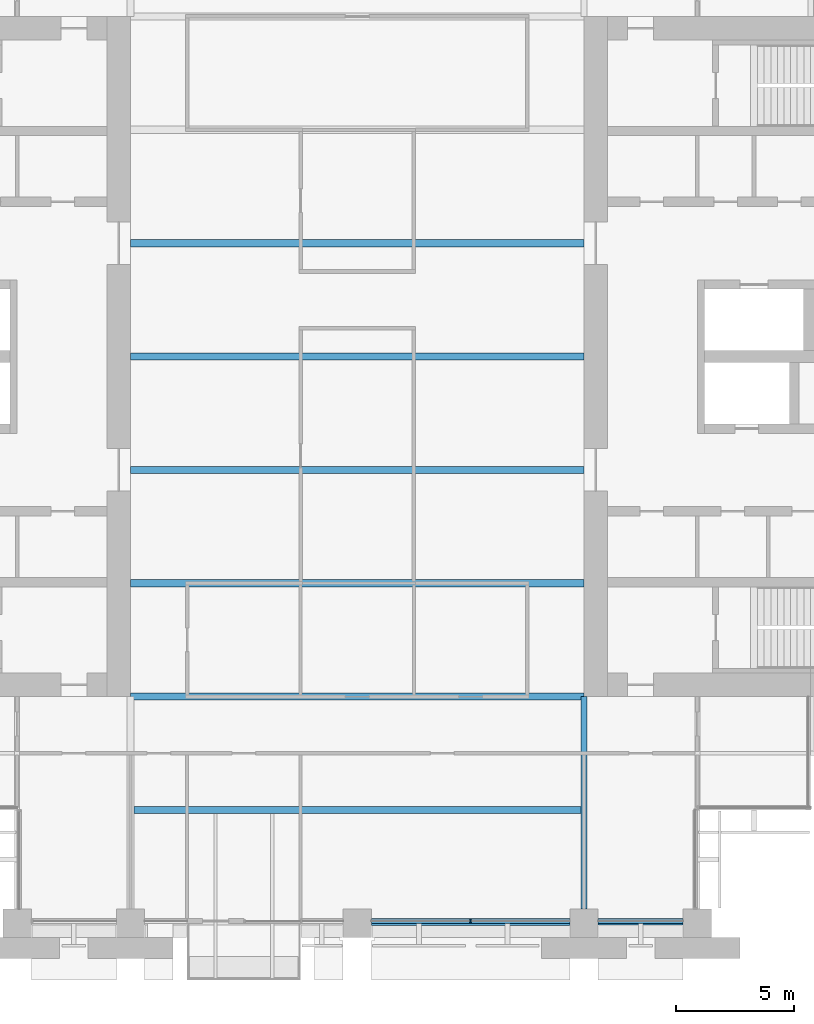
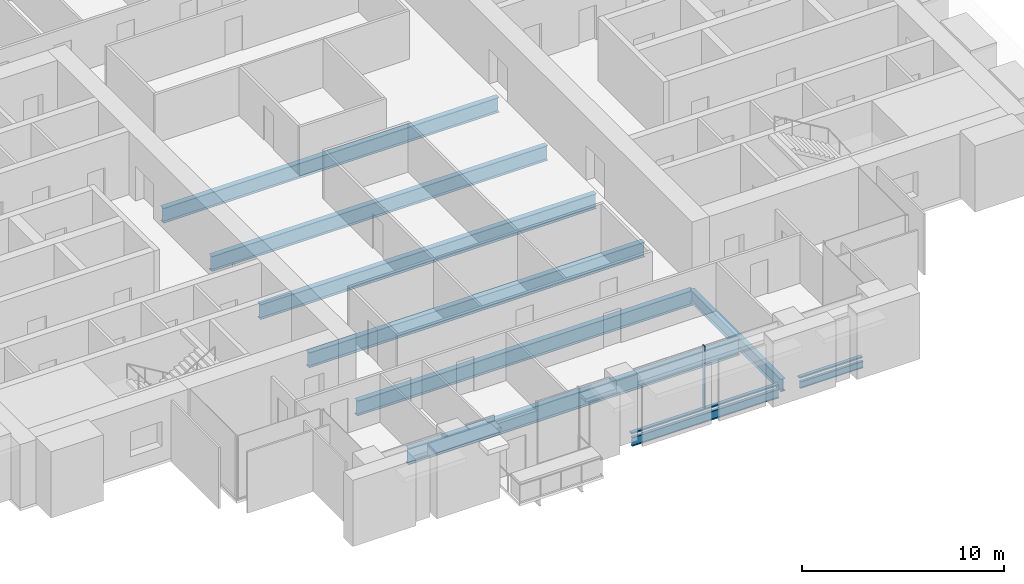
# One storey, part 3 of 15: 9 beams, 3 members, 1 element without a shape of its own.
"""IFC4 building model written with IfcOpenShell, lengths in metres."""

from ifc_helpers import new_model, si_unit, direction, frame, origin, origin_2d, place, context, subcontext, project, spatial, rectangle, i_section, extrude, material, material_profile, profile_set, type_object, element, aggregate, save


model = new_model("IFC4")

# Units and contexts
model_context = context("Model", 3, precision=1e-05, world=origin(), true_north=direction((0.0, 1.0)))
body_context = subcontext(model_context, "Body", "Model", "MODEL_VIEW")
ifc_project = project(units=[si_unit("LENGTHUNIT", "METRE"), si_unit("AREAUNIT", "SQUARE_METRE"), si_unit("VOLUMEUNIT", "CUBIC_METRE"), si_unit("PLANEANGLEUNIT", "RADIAN"), si_unit("MASSUNIT", "GRAM", prefix="KILO")], contexts=[model_context])

# Site, building, storey
site_placement = place(None, origin())
site = spatial("IfcSite", under=ifc_project, at=site_placement, CompositionType="ELEMENT")
building_placement = place(site_placement, origin())
building = spatial("IfcBuilding", under=site, at=building_placement, Name="Baori Bourse Tower", CompositionType="ELEMENT")
storey_placement = place(building_placement, frame((0.0, 0.0, 128.10009765625)))
storey = spatial("IfcBuildingStorey", under=building, at=storey_placement, Name="L27", CompositionType="ELEMENT", Elevation=128.10009765625)

# Curtain wall, members
ifc_material_1 = material(Name="Pale anodised aluminium", Category="aluminium")
curtain_wall_type = type_object("IfcCurtainWallType", Name="CW1 Curtain wall", PredefinedType="NOTDEFINED", material=ifc_material_1)
curtain_wall_placement = place(storey_placement, origin())
curtain_wall = element("IfcCurtainWall", 1, at=curtain_wall_placement, inside=storey, type_object=curtain_wall_type, Name="Curtain wall CW1 L27 15", PredefinedType="NOTDEFINED")
ifc_material_2 = material(Name="Pale anodised aluminium", Category="aluminium")
ifc_material_profile_1 = material_profile(ifc_material_2, rectangle(XDim=0.199951171875, YDim=0.06005859375, at=origin_2d()), Name="Mullion 60x200")
ifc_profile_set_1 = profile_set([ifc_material_profile_1], Name="Pale anodised aluminium")
member_type_1 = type_object("IfcMemberType", Name="CW1 Curtain wall mullion", PredefinedType="MULLION", material=ifc_profile_set_1)
member_1_placement = place(storey_placement, frame((33.60009765625, 0.10009765625, 0.079833984375), z_axis=(0.0, 0.0, 1.0), x_axis=(0.0, 1.0, 0.0)))
member_1 = element("IfcMember", 2, at=member_1_placement, type_object=member_type_1, Name="Curtain wall CW1 mullion", PredefinedType="MULLION", context=body_context, shape_type="SweptSolid", body=[
    extrude(rectangle(XDim=0.199951171875, YDim=0.06005859375, at=origin_2d()), origin(), (0.0, 0.0, 1.0), 3.760009765625),
])
ifc_material_3 = material(Name="Pale anodised aluminium", Category="aluminium")
ifc_material_profile_2 = material_profile(ifc_material_3, rectangle(XDim=0.199951171875, YDim=0.080078125, at=origin_2d()), Name="Transom 80x200")
ifc_profile_set_2 = profile_set([ifc_material_profile_2], Name="Pale anodised aluminium")
member_type_2 = type_object("IfcMemberType", Name="CW1 Curtain wall transom", PredefinedType="USERDEFINED", material=ifc_profile_set_2)
member_2_placement = place(storey_placement, frame((29.39990234375, 0.10009765625, 0.039794921875), z_axis=(1.0, 0.0, 0.0), x_axis=(0.0, 1.0, 0.0)))
member_2 = element("IfcMember", 3, at=member_2_placement, type_object=member_type_2, Name="Curtain wall CW1 sill rail", ObjectType="TRANSOM", PredefinedType="USERDEFINED", context=body_context, shape_type="SweptSolid", body=[
    extrude(rectangle(XDim=0.199951171875, YDim=0.080078125, at=origin_2d()), origin(), (0.0, 0.0, 1.0), 8.400146484375),
])
member_3_placement = place(storey_placement, frame((39.0, 0.10009765625, 0.039794921875), z_axis=(1.0, 0.0, 0.0), x_axis=(0.0, 1.0, 0.0)))
member_3 = element("IfcMember", 4, at=member_3_placement, type_object=member_type_2, Name="Curtain wall CW1 sill rail", ObjectType="TRANSOM", PredefinedType="USERDEFINED", context=body_context, shape_type="SweptSolid", body=[
    extrude(rectangle(XDim=0.199951171875, YDim=0.080078125, at=origin_2d()), origin(), (0.0, 0.0, 1.0), 3.60009765625),
])
aggregate(curtain_wall, [member_2, member_1, member_3])

# Beams
ifc_material_4 = material(Name="Steel A992 Gr 50", Category="steel")
ifc_material_profile_3 = material_profile(ifc_material_4, i_section(OverallWidth=0.140380859375, OverallDepth=0.40380859375, WebThickness=0.007080078125, FlangeThickness=0.01123046875, at=origin_2d()), Name="W16x31")
ifc_profile_set_3 = profile_set([ifc_material_profile_3], Name="Steel A992 Gr 50")
beam_type_1 = type_object("IfcBeamType", Name="Edge beam W16x31", PredefinedType="BEAM", material=ifc_profile_set_3)
beam_1_placement = place(storey_placement, frame((39.0, 0.0, -0.362060546875), z_axis=(1.0, 0.0, 0.0), x_axis=(0.0, 1.0, 0.0)))
element("IfcBeam", 5, at=beam_1_placement, inside=storey, type_object=beam_type_1, Name="Edge beam L27", PredefinedType="BEAM", context=body_context, shape_type="SweptSolid", body=[
    extrude(i_section(OverallWidth=0.140380859375, OverallDepth=0.40380859375, WebThickness=0.007080078125, FlangeThickness=0.01123046875, at=origin_2d()), origin(), (0.0, 0.0, 1.0), 3.60009765625),
])
ifc_material_5 = material(Name="Steel A992 Gr 50", Category="steel")
ifc_material_profile_4 = material_profile(ifc_material_5, i_section(OverallWidth=0.1650390625, OverallDepth=0.52587890625, WebThickness=0.0087890625, FlangeThickness=0.011474609375, at=origin_2d()), Name="W21x44")
ifc_profile_set_4 = profile_set([ifc_material_profile_4], Name="Steel A992 Gr 50")
beam_type_2 = type_object("IfcBeamType", Name="Edge beam W21x44", PredefinedType="BEAM", material=ifc_profile_set_4)
beam_2_placement = place(storey_placement, frame((29.39990234375, 0.0, -0.423095703125), z_axis=(1.0, 0.0, 0.0), x_axis=(0.0, 1.0, 0.0)))
element("IfcBeam", 6, at=beam_2_placement, inside=storey, type_object=beam_type_2, Name="Edge beam L27", PredefinedType="BEAM", context=body_context, shape_type="SweptSolid", body=[
    extrude(i_section(OverallWidth=0.1650390625, OverallDepth=0.52587890625, WebThickness=0.0087890625, FlangeThickness=0.011474609375, at=origin_2d()), origin(), (0.0, 0.0, 1.0), 8.400146484375),
])
ifc_material_6 = material(Name="Steel A992 Gr 50", Category="steel")
ifc_material_profile_5 = material_profile(ifc_material_6, i_section(OverallWidth=0.3046875, OverallDepth=0.904296875, WebThickness=0.01513671875, FlangeThickness=0.02001953125, at=origin_2d()), Name="W36x135")
ifc_profile_set_5 = profile_set([ifc_material_profile_5], Name="Steel A992 Gr 50")
beam_type_3 = type_object("IfcBeamType", Name="Floor beam W36x135", PredefinedType="BEAM", material=ifc_profile_set_5)
for number, where, z_axis, x_axis, name in (
    (7, (19.199951171875, 9.60009765625, -0.6123046875), (1.0, 0.0, 0.0), (0.0, 1.0, 0.0), "Floor beam L27"),
    (8, (19.199951171875, 14.39990234375, -0.6123046875), (1.0, 0.0, 0.0), (0.0, 1.0, 0.0), "Floor beam L27"),
    (9, (19.199951171875, 19.199951171875, -0.6123046875), (1.0, 0.0, 0.0), (0.0, 1.0, 0.0), "Floor beam L27"),
    (10, (19.199951171875, 24.0, -0.6123046875), (1.0, 0.0, 0.0), (0.0, 1.0, 0.0), "Floor beam L27"),
    (11, (19.199951171875, 28.800048828125, -0.6123046875), (1.0, 0.0, 0.0), (0.0, 1.0, 0.0), "Floor beam L27"),
):
    element("IfcBeam", number, at=place(storey_placement, frame(where, z_axis=z_axis, x_axis=x_axis)), inside=storey, type_object=beam_type_3, Name=name, PredefinedType="BEAM", context=body_context, shape_type="SweptSolid", body=[
        extrude(i_section(OverallWidth=0.3046875, OverallDepth=0.904296875, WebThickness=0.01513671875, FlangeThickness=0.02001953125, at=origin_2d()), origin(), (0.0, 0.0, 1.0), 19.199951171875),
    ])
ifc_material_7 = material(Name="Steel A992 Gr 50", Category="steel")
ifc_material_profile_6 = material_profile(ifc_material_7, i_section(OverallWidth=0.2998046875, OverallDepth=0.990478515625, WebThickness=0.0166015625, FlangeThickness=0.030517578125, at=origin_2d()), Name="W40x183")
ifc_profile_set_6 = profile_set([ifc_material_profile_6], Name="Steel A992 Gr 50")
beam_type_4 = type_object("IfcBeamType", Name="Floor beam W40x183", PredefinedType="BEAM", material=ifc_profile_set_6)
beam_3_placement = place(storey_placement, frame((19.345947265625, 4.800048828125, -0.655517578125), z_axis=(1.0, 0.0, 0.0), x_axis=(0.0, 1.0, 0.0)))
element("IfcBeam", 12, at=beam_3_placement, inside=storey, type_object=beam_type_4, Name="Floor beam L27", PredefinedType="BEAM", context=body_context, shape_type="SweptSolid", body=[
    extrude(i_section(OverallWidth=0.2998046875, OverallDepth=0.990478515625, WebThickness=0.0166015625, FlangeThickness=0.030517578125, at=origin_2d()), origin(), (0.0, 0.0, 1.0), 18.920654296875),
])
ifc_material_8 = material(Name="Steel A992 Gr 50", Category="steel")
ifc_material_profile_7 = material_profile(ifc_material_8, i_section(OverallWidth=0.2666015625, OverallDepth=0.7568359375, WebThickness=0.013916015625, FlangeThickness=0.019287109375, at=origin_2d()), Name="W30x108")
ifc_profile_set_7 = profile_set([ifc_material_profile_7], Name="Steel A992 Gr 50")
beam_type_5 = type_object("IfcBeamType", Name="Girder W30x108", PredefinedType="BEAM", material=ifc_profile_set_7)
beam_4_placement = place(storey_placement, frame((38.39990234375, 0.60009765625, -0.53857421875), z_axis=(0.0, 1.0, 0.0), x_axis=(-1.0, 0.0, 0.0)))
element("IfcBeam", 13, at=beam_4_placement, inside=storey, type_object=beam_type_5, Name="Girder L27", PredefinedType="BEAM", context=body_context, shape_type="SweptSolid", body=[
    extrude(i_section(OverallWidth=0.2666015625, OverallDepth=0.7568359375, WebThickness=0.013916015625, FlangeThickness=0.019287109375, at=origin_2d()), origin(), (0.0, 0.0, 1.0), 9.0),
])

save(model, "model.ifc")
